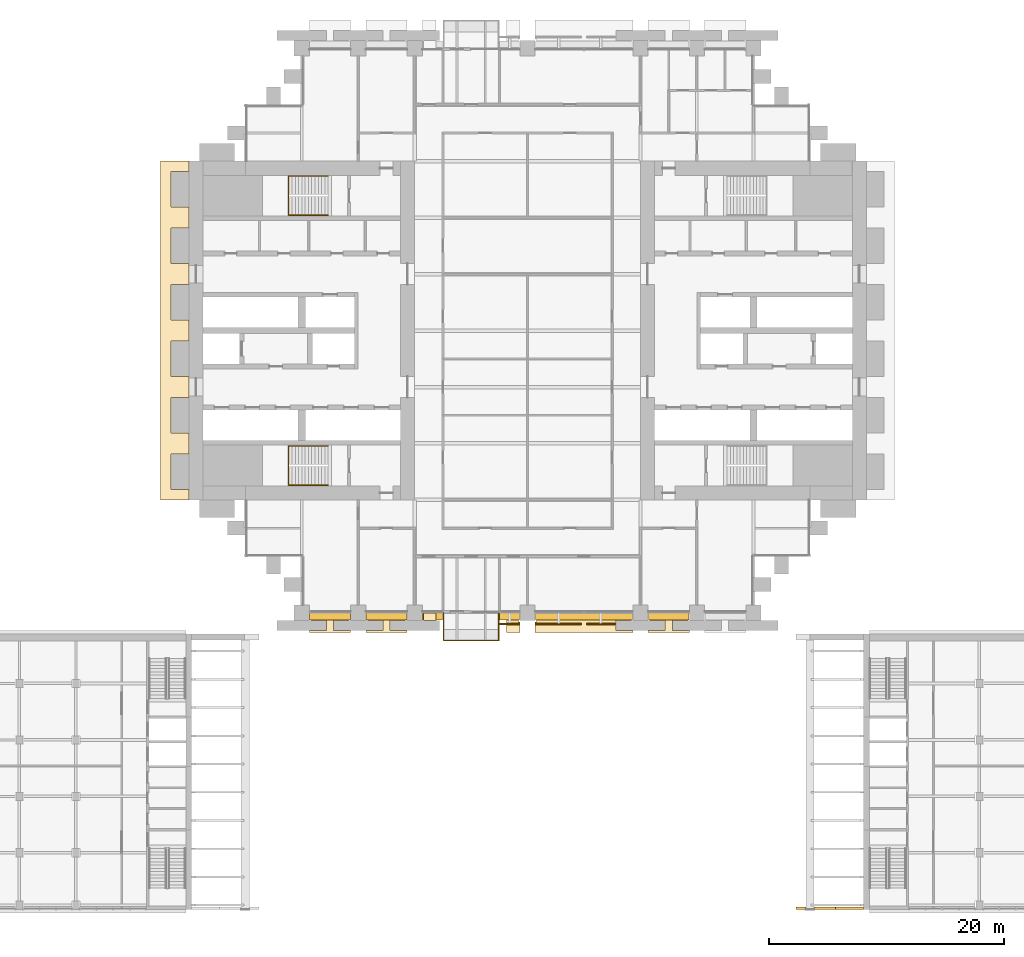
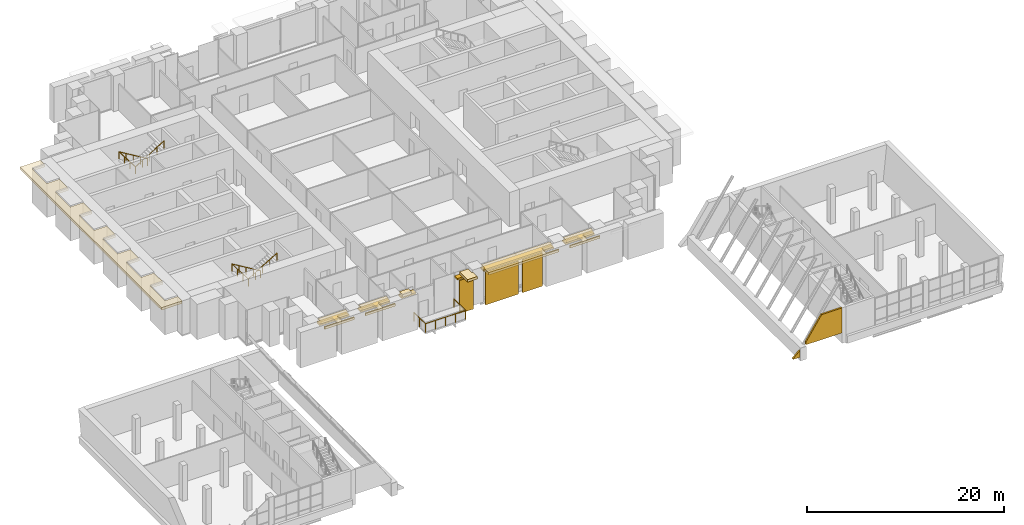
# One storey, part 30 of 32: 12 coverings, 6 shading devices, 3 railings.
"""IFC4 building model written with IfcOpenShell, lengths in metres."""

from ifc_helpers import new_model, si_unit, direction, frame, origin, origin_2d, place, context, subcontext, project, spatial, polyline, rectangle, circle, outline, extrude, material, layer, layer_set, type_object, element, save


model = new_model("IFC4")

# Units and contexts
model_context = context("Model", 3, precision=1e-05, world=origin(), true_north=direction((0.0, 1.0)))
body_context = subcontext(model_context, "Body", "Model", "MODEL_VIEW")
ifc_project = project(units=[si_unit("LENGTHUNIT", "METRE"), si_unit("AREAUNIT", "SQUARE_METRE"), si_unit("VOLUMEUNIT", "CUBIC_METRE"), si_unit("PLANEANGLEUNIT", "RADIAN"), si_unit("MASSUNIT", "GRAM", prefix="KILO")], contexts=[model_context])

# Site, building, storey
site_placement = place(None, origin())
site = spatial("IfcSite", under=ifc_project, at=site_placement, CompositionType="ELEMENT")
building_placement = place(site_placement, origin())
building = spatial("IfcBuilding", under=site, at=building_placement, Name="Baori Bourse Tower", CompositionType="ELEMENT")
storey_placement = place(building_placement, frame((0.0, 0.0, 21.39990234375)))
storey = spatial("IfcBuildingStorey", under=building, at=storey_placement, Name="L03", CompositionType="ELEMENT", Elevation=21.39990234375)

# Coverings
ifc_material_1 = material(Name="Pale anodised aluminium", Category="aluminium")
covering_type_1 = type_object("IfcCoveringType", Name="BD1 Pale metal band", PredefinedType="CLADDING", material=ifc_material_1)
covering_1_placement = place(storey_placement, frame((0.0, 0.0, 3.940185546875)))
element("IfcCovering", 1, at=covering_1_placement, inside=storey, type_object=covering_type_1, Name="Pale projecting band L03 10", PredefinedType="CLADDING", context=body_context, shape_type="SweptSolid", body=[
    extrude(outline(polyline([(0.0, 37.5), (0.0, 38.39990234375), (-2.39990234375, 38.39990234375), (-2.39990234375, 9.60009765625), (0.0, 9.60009765625), (0.0, 10.5), (-1.5, 10.5), (-1.5, 13.5), (0.0, 13.5), (0.0, 15.300048828125), (-1.5, 15.300048828125), (-1.5, 18.300048828125), (0.0, 18.300048828125), (0.0, 20.10009765625), (-1.5, 20.10009765625), (-1.5, 23.10009765625), (0.0, 23.10009765625), (0.0, 24.89990234375), (-1.5, 24.89990234375), (-1.5, 27.89990234375), (0.0, 27.89990234375), (0.0, 29.699951171875), (-1.5, 29.699951171875), (-1.5, 32.699951171875), (0.0, 32.699951171875), (0.0, 34.5), (-1.5, 34.5), (-1.5, 37.5), (0.0, 37.5)])), origin(), (0.0, 0.0, 1.0), 0.2998046875),
])
covering_2_placement = place(storey_placement, frame((0.0, 0.0, 3.940185546875)))
element("IfcCovering", 2, at=covering_2_placement, inside=storey, type_object=covering_type_1, Name="Pale projecting band L03 11", PredefinedType="CLADDING", context=body_context, shape_type="SweptSolid", body=[
    extrude(outline(polyline([(13.6298828125, 0.0), (10.3701171875, 0.0), (10.3701171875, -0.64990234375), (11.699951171875, -0.64990234375), (11.699951171875, -1.5), (10.25, -1.5), (10.25, -1.64990234375), (13.75, -1.64990234375), (13.75, -1.5), (12.300048828125, -1.5), (12.300048828125, -0.64990234375), (13.6298828125, -0.64990234375), (13.6298828125, 0.0)])), origin(), (0.0, 0.0, 1.0), 0.2998046875),
])
covering_3_placement = place(storey_placement, frame((0.0, 0.0, 3.940185546875)))
element("IfcCovering", 3, at=covering_3_placement, inside=storey, type_object=covering_type_1, Name="Pale projecting band L03 12", PredefinedType="CLADDING", context=body_context, shape_type="SweptSolid", body=[
    extrude(outline(polyline([(18.429931640625, 0.0), (15.169921875, 0.0), (15.169921875, -0.64990234375), (16.5, -0.64990234375), (16.5, -1.5), (15.050048828125, -1.5), (15.050048828125, -1.64990234375), (18.550048828125, -1.64990234375), (18.550048828125, -1.5), (17.10009765625, -1.5), (17.10009765625, -0.64990234375), (18.429931640625, -0.64990234375), (18.429931640625, 0.0)])), origin(), (0.0, 0.0, 1.0), 0.2998046875),
])
covering_4_placement = place(storey_placement, frame((0.0, 0.0, 3.940185546875)))
element("IfcCovering", 4, at=covering_4_placement, inside=storey, type_object=covering_type_1, Name="Pale projecting band L03 13", PredefinedType="CLADDING", context=body_context, shape_type="SweptSolid", body=[
    extrude(outline(polyline([(21.0, 0.0), (19.969970703125, 0.0), (19.969970703125, -0.64990234375), (21.0, -0.64990234375), (21.0, 0.0)])), origin(), (0.0, 0.0, 1.0), 0.2998046875),
])
covering_5_placement = place(storey_placement, frame((0.0, 0.0, 3.940185546875)))
element("IfcCovering", 5, at=covering_5_placement, inside=storey, type_object=covering_type_1, Name="Pale projecting band L03 14", PredefinedType="CLADDING", context=body_context, shape_type="SweptSolid", body=[
    extrude(outline(polyline([(28.030029296875, 0.0), (27.0, 0.0), (27.0, -1.64990234375), (28.14990234375, -1.64990234375), (28.14990234375, -0.77001953125), (28.030029296875, -0.77001953125), (28.030029296875, 0.0)])), origin(), (0.0, 0.0, 1.0), 0.2998046875),
])
covering_6_placement = place(storey_placement, frame((0.0, 0.0, 3.940185546875)))
element("IfcCovering", 6, at=covering_6_placement, inside=storey, type_object=covering_type_1, Name="Pale projecting band L03 15", PredefinedType="CLADDING", context=body_context, shape_type="SweptSolid", body=[
    extrude(outline(polyline([(37.6298828125, 0.0), (29.570068359375, 0.0), (29.570068359375, -0.77001953125), (29.449951171875, -0.77001953125), (29.449951171875, -1.64990234375), (37.75, -1.64990234375), (37.75, -1.5), (36.300048828125, -1.5), (36.300048828125, -0.64990234375), (37.6298828125, -0.64990234375), (37.6298828125, 0.0)])), origin(), (0.0, 0.0, 1.0), 0.2998046875),
])
covering_7_placement = place(storey_placement, frame((0.0, 0.0, 3.940185546875)))
element("IfcCovering", 7, at=covering_7_placement, inside=storey, type_object=covering_type_1, Name="Pale projecting band L03 16", PredefinedType="CLADDING", context=body_context, shape_type="SweptSolid", body=[
    extrude(outline(polyline([(42.429931640625, 0.0), (39.169921875, 0.0), (39.169921875, -0.64990234375), (40.5, -0.64990234375), (40.5, -1.5), (39.050048828125, -1.5), (39.050048828125, -1.64990234375), (42.550048828125, -1.64990234375), (42.550048828125, -1.5), (41.10009765625, -1.5), (41.10009765625, -0.64990234375), (42.429931640625, -0.64990234375), (42.429931640625, 0.0)])), origin(), (0.0, 0.0, 1.0), 0.2998046875),
])

# Shading devices
ifc_material_2 = material(Name="Concrete f'c 40 MPa", Category="concrete")
ifc_layer_1 = layer(ifc_material_2, 0.199951171875)
ifc_layer_set_1 = layer_set([ifc_layer_1], Name="BS1 Brise-soleil ledge")
shading_device_type = type_object("IfcShadingDeviceType", Name="BS1 Brise-soleil ledge", PredefinedType="USERDEFINED", material=ifc_layer_set_1)
for number, where, z_axis, x_axis, name in (
    (8, (12.0, -0.300048828125, 3.740234375), (0.0, 0.0, 1.0), (1.0, 0.0, 0.0), "Brise-soleil ledge L03 8"),
    (9, (16.800048828125, -0.300048828125, 3.740234375), (0.0, 0.0, 1.0), (1.0, 0.0, 0.0), "Brise-soleil ledge L03 9"),
):
    element("IfcShadingDevice", number, at=place(storey_placement, frame(where, z_axis=z_axis, x_axis=x_axis)), inside=storey, type_object=shading_device_type, Name=name, ObjectType="BRISE SOLEIL", PredefinedType="USERDEFINED", context=body_context, shape_type="SweptSolid", body=[
        extrude(rectangle(XDim=3.4599609375, YDim=0.60009765625, at=origin_2d()), origin(), (0.0, 0.0, 1.0), 0.199951171875),
    ])
for number, where, z_axis, x_axis, name in (
    (10, (20.72509765625, -0.300048828125, 3.740234375), (0.0, 0.0, 1.0), (1.0, 0.0, 0.0), "Brise-soleil ledge L03 10"),
    (11, (27.27490234375, -0.300048828125, 3.740234375), (0.0, 0.0, 1.0), (1.0, 0.0, 0.0), "Brise-soleil ledge L03 11"),
):
    element("IfcShadingDevice", number, at=place(storey_placement, frame(where, z_axis=z_axis, x_axis=x_axis)), inside=storey, type_object=shading_device_type, Name=name, ObjectType="BRISE SOLEIL", PredefinedType="USERDEFINED", context=body_context, shape_type="SweptSolid", body=[
        extrude(rectangle(XDim=1.7099609375, YDim=0.60009765625, at=origin_2d()), origin(), (0.0, 0.0, 1.0), 0.199951171875),
    ])
shading_device_1_placement = place(storey_placement, frame((33.60009765625, -0.300048828125, 3.740234375), z_axis=(0.0, 0.0, 1.0), x_axis=(1.0, 0.0, 0.0)))
element("IfcShadingDevice", 12, at=shading_device_1_placement, inside=storey, type_object=shading_device_type, Name="Brise-soleil ledge L03 12", ObjectType="BRISE SOLEIL", PredefinedType="USERDEFINED", context=body_context, shape_type="SweptSolid", body=[
    extrude(rectangle(XDim=8.260009765625, YDim=0.60009765625, at=origin_2d()), origin(), (0.0, 0.0, 1.0), 0.199951171875),
])
shading_device_2_placement = place(storey_placement, frame((40.800048828125, -0.300048828125, 3.740234375), z_axis=(0.0, 0.0, 1.0), x_axis=(1.0, 0.0, 0.0)))
element("IfcShadingDevice", 13, at=shading_device_2_placement, inside=storey, type_object=shading_device_type, Name="Brise-soleil ledge L03 13", ObjectType="BRISE SOLEIL", PredefinedType="USERDEFINED", context=body_context, shape_type="SweptSolid", body=[
    extrude(rectangle(XDim=3.4599609375, YDim=0.60009765625, at=origin_2d()), origin(), (0.0, 0.0, 1.0), 0.199951171875),
])

# Railings
ifc_material_3 = material(Name="Powder-coated steel balustrade", Category="steel")
railing_type_1 = type_object("IfcRailingType", Name="Core stair handrail", PredefinedType="HANDRAIL", material=ifc_material_3)
railing_1_placement = place(storey_placement, frame((11.85009765625, 14.199951171875, 0.16943359375)))
element("IfcRailing", 14, at=railing_1_placement, inside=storey, type_object=railing_type_1, Name="L03 ST1 stair handrail 1", PredefinedType="HANDRAIL", context=body_context, shape_type="SweptSolid", body=[
    extrude(circle(Radius=0.02392578125, at=origin_2d()), frame((0.0, 0.0, 0.8759765625), z_axis=(-0.855836976705, 0.0, 0.517245656632), x_axis=(0.0, -1.0, 0.0)), (0.0, 0.0, 1.0), 3.926025390625),
    extrude(circle(Radius=0.02392578125, at=origin_2d()), frame((-3.360107421875, 0.0, 2.90673828125), z_axis=(0.0, -0.998726980575, 0.050442227064), x_axis=(1.0, 0.0, 0.0)), (0.0, 0.0, 1.0), 3.35400390625),
    extrude(circle(Radius=0.02392578125, at=origin_2d()), frame((-3.360107421875, -3.349853515625, 3.07568359375), z_axis=(0.855836976705, 0.0, 0.517245656632), x_axis=(0.0, 1.0, 0.0)), (0.0, 0.0, 1.0), 3.926025390625),
    extrude(circle(Radius=0.02099609375, at=origin_2d()), origin(), (0.0, 0.0, 1.0), 0.851806640625),
    extrude(circle(Radius=0.02099609375, at=origin_2d()), frame((-0.840087890625, 0.0, 0.5078125)), (0.0, 0.0, 1.0), 0.851806640625),
    extrude(circle(Radius=0.02099609375, at=origin_2d()), frame((-1.68017578125, 0.0, 1.015380859375)), (0.0, 0.0, 1.0), 0.851806640625),
    extrude(circle(Radius=0.02099609375, at=origin_2d()), frame((-2.52001953125, 0.0, 1.52294921875)), (0.0, 0.0, 1.0), 0.851806640625),
    extrude(circle(Radius=0.02099609375, at=origin_2d()), frame((-3.360107421875, 0.0, 2.03076171875)), (0.0, 0.0, 1.0), 0.851806640625),
    extrude(circle(Radius=0.02099609375, at=origin_2d()), frame((-3.360107421875, -1.11669921875, 2.087158203125)), (0.0, 0.0, 1.0), 0.851806640625),
    extrude(circle(Radius=0.02099609375, at=origin_2d()), frame((-3.360107421875, -2.233154296875, 2.1435546875)), (0.0, 0.0, 1.0), 0.851806640625),
    extrude(circle(Radius=0.02099609375, at=origin_2d()), frame((-3.360107421875, -3.349853515625, 2.199951171875)), (0.0, 0.0, 1.0), 0.851806640625),
    extrude(circle(Radius=0.02099609375, at=origin_2d()), frame((-2.52001953125, -3.349853515625, 2.70751953125)), (0.0, 0.0, 1.0), 0.851806640625),
    extrude(circle(Radius=0.02099609375, at=origin_2d()), frame((-1.68017578125, -3.349853515625, 3.21533203125)), (0.0, 0.0, 1.0), 0.851806640625),
    extrude(circle(Radius=0.02099609375, at=origin_2d()), frame((-0.840087890625, -3.349853515625, 3.72314453125)), (0.0, 0.0, 1.0), 0.851806640625),
    extrude(circle(Radius=0.02099609375, at=origin_2d()), frame((0.0, -3.349853515625, 4.230712890625)), (0.0, 0.0, 1.0), 0.851806640625),
])
railing_2_placement = place(storey_placement, frame((11.85009765625, 37.14990234375, 0.16943359375)))
element("IfcRailing", 15, at=railing_2_placement, inside=storey, type_object=railing_type_1, Name="L03 ST2 stair handrail 1", PredefinedType="HANDRAIL", context=body_context, shape_type="SweptSolid", body=[
    extrude(circle(Radius=0.02392578125, at=origin_2d()), frame((0.0, 0.0, 0.8759765625), z_axis=(-0.855836976705, 0.0, 0.517245656632), x_axis=(0.0, -1.0, 0.0)), (0.0, 0.0, 1.0), 3.926025390625),
    extrude(circle(Radius=0.02392578125, at=origin_2d()), frame((-3.360107421875, 0.0, 2.90673828125), z_axis=(0.0, -0.998726980575, 0.050442227064), x_axis=(1.0, 0.0, 0.0)), (0.0, 0.0, 1.0), 3.35400390625),
    extrude(circle(Radius=0.02392578125, at=origin_2d()), frame((-3.360107421875, -3.349853515625, 3.07568359375), z_axis=(0.855836976705, 0.0, 0.517245656632), x_axis=(0.0, 1.0, 0.0)), (0.0, 0.0, 1.0), 3.926025390625),
    extrude(circle(Radius=0.02099609375, at=origin_2d()), origin(), (0.0, 0.0, 1.0), 0.851806640625),
    extrude(circle(Radius=0.02099609375, at=origin_2d()), frame((-0.840087890625, 0.0, 0.5078125)), (0.0, 0.0, 1.0), 0.851806640625),
    extrude(circle(Radius=0.02099609375, at=origin_2d()), frame((-1.68017578125, 0.0, 1.015380859375)), (0.0, 0.0, 1.0), 0.851806640625),
    extrude(circle(Radius=0.02099609375, at=origin_2d()), frame((-2.52001953125, 0.0, 1.52294921875)), (0.0, 0.0, 1.0), 0.851806640625),
    extrude(circle(Radius=0.02099609375, at=origin_2d()), frame((-3.360107421875, 0.0, 2.03076171875)), (0.0, 0.0, 1.0), 0.851806640625),
    extrude(circle(Radius=0.02099609375, at=origin_2d()), frame((-3.360107421875, -1.11669921875, 2.087158203125)), (0.0, 0.0, 1.0), 0.851806640625),
    extrude(circle(Radius=0.02099609375, at=origin_2d()), frame((-3.360107421875, -2.233154296875, 2.1435546875)), (0.0, 0.0, 1.0), 0.851806640625),
    extrude(circle(Radius=0.02099609375, at=origin_2d()), frame((-3.360107421875, -3.349853515625, 2.199951171875)), (0.0, 0.0, 1.0), 0.851806640625),
    extrude(circle(Radius=0.02099609375, at=origin_2d()), frame((-2.52001953125, -3.349853515625, 2.70751953125)), (0.0, 0.0, 1.0), 0.851806640625),
    extrude(circle(Radius=0.02099609375, at=origin_2d()), frame((-1.68017578125, -3.349853515625, 3.21533203125)), (0.0, 0.0, 1.0), 0.851806640625),
    extrude(circle(Radius=0.02099609375, at=origin_2d()), frame((-0.840087890625, -3.349853515625, 3.72314453125)), (0.0, 0.0, 1.0), 0.851806640625),
    extrude(circle(Radius=0.02099609375, at=origin_2d()), frame((0.0, -3.349853515625, 4.230712890625)), (0.0, 0.0, 1.0), 0.851806640625),
])

# Coverings
ifc_material_4 = material(Name="Pale anodised aluminium", Category="aluminium")
ifc_layer_2 = layer(ifc_material_4, 0.199951171875)
ifc_layer_set_2 = layer_set([ifc_layer_2], Name="Fascia metal band 200")
covering_type_2 = type_object("IfcCoveringType", Name="Fascia metal band 200", PredefinedType="CLADDING", material=ifc_layer_set_2)
covering_8_placement = place(storey_placement, frame((51.626953125, -25.10009765625, 0.0), z_axis=(0.0, 0.0, 1.0), x_axis=(1.0, 0.0, 0.0)))
element("IfcCovering", 16, at=covering_8_placement, inside=storey, type_object=covering_type_2, Name="wing/L03/fascia/003", PredefinedType="CLADDING", context=body_context, shape_type="SweptSolid", body=[
    extrude(outline(polyline([(0.0, 0.0), (0.822998046875, 0.0), (0.8232421875, 0.869140625), (0.0, 0.10009765625), (0.0, 0.0)])), frame((0.0, 0.10009765625, 0.0), z_axis=(0.0, -1.0, 0.0), x_axis=(1.0, 0.0, 0.0)), (0.0, 0.0, 1.0), 0.199951171875),
])
covering_9_placement = place(storey_placement, frame((53.14990234375, -25.10009765625, 1.300048828125), z_axis=(0.0, 0.0, 1.0), x_axis=(1.0, 0.0, 0.0)))
element("IfcCovering", 17, at=covering_9_placement, inside=storey, type_object=covering_type_2, Name="wing/L03/fascia/004", PredefinedType="CLADDING", context=body_context, shape_type="SweptSolid", body=[
    extrude(outline(polyline([(0.0, 0.0), (4.2001953125, 0.0), (4.199951171875, 3.10009765625), (1.822509765625, 3.10009765625), (0.0, 0.35693359375), (0.0, 0.0)])), frame((0.0, 0.10009765625, 0.0), z_axis=(0.0, -1.0, 0.0), x_axis=(1.0, 0.0, 0.0)), (0.0, 0.0, 1.0), 0.199951171875),
])

# Railing
ifc_material_5 = material(Name="Stainless steel", Category="steel")
railing_type_2 = type_object("IfcRailingType", Name="GD1 Guard", PredefinedType="GUARDRAIL", material=ifc_material_5)
railing_3_placement = place(storey_placement, frame((21.64990234375, -0.030029296875, 0.0)))
element("IfcRailing", 18, at=railing_3_placement, inside=storey, type_object=railing_type_2, Name="Guard balcony S L03 1", PredefinedType="GUARDRAIL", context=body_context, shape_type="SweptSolid", body=[
    extrude(circle(Radius=0.02392578125, at=origin_2d()), frame((0.0, 0.0, 1.076171875), z_axis=(0.0, -1.0, 0.0), x_axis=(1.0, 0.0, 0.0)), (0.0, 0.0, 1.0), 2.320068359375),
    extrude(circle(Radius=0.02392578125, at=origin_2d()), frame((0.0, -2.320068359375, 1.076171875), z_axis=(1.0, 0.0, 0.0), x_axis=(0.0, 1.0, 0.0)), (0.0, 0.0, 1.0), 4.7001953125),
    extrude(circle(Radius=0.02392578125, at=origin_2d()), frame((4.7001953125, -2.320068359375, 1.076171875), z_axis=(0.0, 1.0, 0.0), x_axis=(-1.0, 0.0, 0.0)), (0.0, 0.0, 1.0), 2.320068359375),
    extrude(circle(Radius=0.02099609375, at=origin_2d()), origin(), (0.0, 0.0, 1.0), 1.052001953125),
    extrude(circle(Radius=0.02099609375, at=origin_2d()), frame((0.0, -1.16015625, 0.0)), (0.0, 0.0, 1.0), 1.052001953125),
    extrude(circle(Radius=0.02099609375, at=origin_2d()), frame((0.0, -2.320068359375, 0.0)), (0.0, 0.0, 1.0), 1.052001953125),
    extrude(circle(Radius=0.02099609375, at=origin_2d()), frame((1.175048828125, -2.320068359375, 0.0)), (0.0, 0.0, 1.0), 1.052001953125),
    extrude(circle(Radius=0.02099609375, at=origin_2d()), frame((2.35009765625, -2.320068359375, 0.0)), (0.0, 0.0, 1.0), 1.052001953125),
    extrude(circle(Radius=0.02099609375, at=origin_2d()), frame((3.525146484375, -2.320068359375, 0.0)), (0.0, 0.0, 1.0), 1.052001953125),
    extrude(circle(Radius=0.02099609375, at=origin_2d()), frame((4.7001953125, -2.320068359375, 0.0)), (0.0, 0.0, 1.0), 1.052001953125),
    extrude(circle(Radius=0.02099609375, at=origin_2d()), frame((4.7001953125, -1.16015625, 0.0)), (0.0, 0.0, 1.0), 1.052001953125),
    extrude(circle(Radius=0.02099609375, at=origin_2d()), frame((4.7001953125, 0.0, 0.0)), (0.0, 0.0, 1.0), 1.052001953125),
])

# Coverings
ifc_material_6 = material(Name="Pale anodised aluminium", Category="aluminium")
ifc_layer_3 = layer(ifc_material_6, 0.10009765625)
ifc_layer_set_3 = layer_set([ifc_layer_3], Name="OS3 Outer skin screen panel")
covering_type_3 = type_object("IfcCoveringType", Name="OS3 Outer skin screen panel", PredefinedType="CLADDING", material=ifc_layer_set_3)
covering_10_placement = place(storey_placement, frame((0.0, 0.0, -0.159912109375)))
element("IfcCovering", 19, at=covering_10_placement, inside=storey, type_object=covering_type_3, Name="Outer skin screen L03 4", PredefinedType="CLADDING", context=body_context, shape_type="SweptSolid", body=[
    extrude(outline(polyline([(28.10009765625, -0.89990234375), (26.449951171875, -0.89990234375), (26.449951171875, -1.0), (28.10009765625, -1.0), (28.10009765625, -0.89990234375)])), origin(), (0.0, 0.0, 1.0), 4.10009765625),
])
covering_11_placement = place(storey_placement, frame((0.0, 0.0, -0.159912109375)))
element("IfcCovering", 20, at=covering_11_placement, inside=storey, type_object=covering_type_3, Name="Outer skin screen L03 5", PredefinedType="CLADDING", context=body_context, shape_type="SweptSolid", body=[
    extrude(outline(polyline([(33.375, -0.89990234375), (29.5, -0.89990234375), (29.5, -1.0), (33.375, -1.0), (33.375, -0.89990234375)])), origin(), (0.0, 0.0, 1.0), 4.10009765625),
])
covering_12_placement = place(storey_placement, frame((0.0, 0.0, -0.159912109375)))
element("IfcCovering", 21, at=covering_12_placement, inside=storey, type_object=covering_type_3, Name="Outer skin screen L03 6", PredefinedType="CLADDING", context=body_context, shape_type="SweptSolid", body=[
    extrude(outline(polyline([(36.199951171875, -0.89990234375), (33.824951171875, -0.89990234375), (33.824951171875, -1.0), (36.199951171875, -1.0), (36.199951171875, -0.89990234375)])), origin(), (0.0, 0.0, 1.0), 4.10009765625),
])

save(model, "model.ifc")
